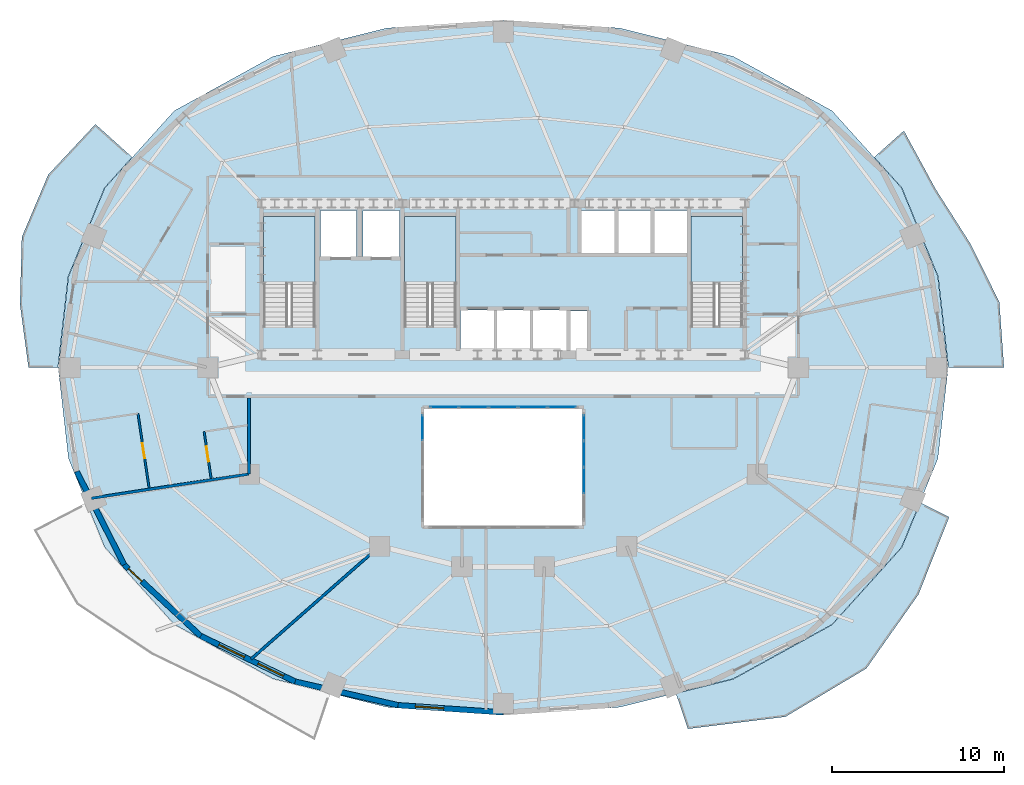
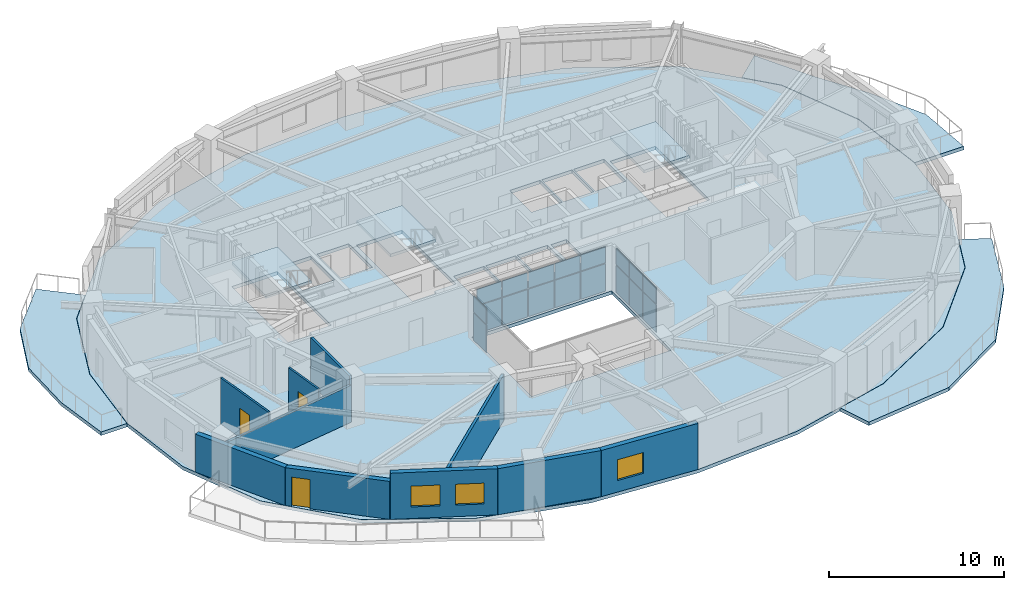
# One storey, part 5 of 12: 18 plates, 10 walls, 7 slabs, 3 doors, 3 windows, 6 openings, 6 elements without a shape of their own.
"""IFC4 building model written with IfcOpenShell, lengths in metres."""

from ifc_helpers import new_model, si_unit, direction, frame, frame_2d, origin, origin_2d, place, context, subcontext, project, spatial, polyline, rectangle, outline, extrude, material, layer, layer_set, type_object, element, fill, aggregate, save


model = new_model("IFC4")

# Units and contexts
model_context = context("Model", 3, precision=1e-05, world=origin(), true_north=direction((0.0, 1.0)))
body_context = subcontext(model_context, "Body", "Model", "MODEL_VIEW")
ifc_project = project(units=[si_unit("LENGTHUNIT", "METRE"), si_unit("AREAUNIT", "SQUARE_METRE"), si_unit("VOLUMEUNIT", "CUBIC_METRE"), si_unit("PLANEANGLEUNIT", "RADIAN"), si_unit("MASSUNIT", "GRAM", prefix="KILO")], contexts=[model_context])

# Site, building, storey
site_placement = place(None, origin())
site = spatial("IfcSite", under=ifc_project, at=site_placement, CompositionType="ELEMENT")
building_placement = place(site_placement, origin())
building = spatial("IfcBuilding", under=site, at=building_placement, Name="Haldorwick Loom Tower", CompositionType="ELEMENT")
storey_placement = place(building_placement, frame((0.0, 0.0, 154.449951171875)))
storey = spatial("IfcBuildingStorey", under=building, at=storey_placement, Name="L41", CompositionType="ELEMENT", Elevation=154.449951171875)

# Curtain wall, plates
ifc_material_1 = material(Name="Thermally Broken Anodized Aluminium Curtain Wall Framing", Category="aluminium")
curtain_wall_type = type_object("IfcCurtainWallType", Name="ARC-CW-03", PredefinedType="NOTDEFINED", material=ifc_material_1)
curtain_wall_1_placement = place(storey_placement, origin())
curtain_wall_1 = element("IfcCurtainWall", 1, at=curtain_wall_1_placement, inside=storey, type_object=curtain_wall_type, Name="L41 Atrium Glazed Screen N", PredefinedType="NOTDEFINED")
ifc_material_2 = material(Name="Triple-Glazed Low-E Argon Insulated Glazing Unit", Category="glass")
ifc_layer_1 = layer(ifc_material_2, 0.04296875, Name="Triple-Glazed Low-E Argon Insulated Glazing Unit", Category="glass")
ifc_layer_set_1 = layer_set([ifc_layer_1], Name="Triple-Glazed Low-E Argon Insulated Glazing Unit")
plate_type = type_object("IfcPlateType", Name="ARC-CWP-03", PredefinedType="CURTAIN_PANEL", material=ifc_layer_set_1)
plate_1_placement = place(storey_placement, frame((32.576416015625, 23.699951171875, 0.066162109375), z_axis=(0.0, 0.0, 1.0), x_axis=(1.0, 0.0, 0.0)))
plate_1 = element("IfcPlate", 2, at=plate_1_placement, type_object=plate_type, Name="CW-03 panel 1.1", PredefinedType="CURTAIN_PANEL", context=body_context, shape_type="SweptSolid", body=[
    extrude(rectangle(XDim=1.62109375, YDim=0.04296875, at=origin_2d()), origin(), (0.0, 0.0, 1.0), 1.90087890625),
])
plate_2_placement = place(storey_placement, frame((32.576416015625, 23.699951171875, 2.033203125), z_axis=(0.0, 0.0, 1.0), x_axis=(1.0, 0.0, 0.0)))
plate_2 = element("IfcPlate", 3, at=plate_2_placement, type_object=plate_type, Name="CW-03 panel 1.2", PredefinedType="CURTAIN_PANEL", context=body_context, shape_type="SweptSolid", body=[
    extrude(rectangle(XDim=1.62109375, YDim=0.04296875, at=origin_2d()), origin(), (0.0, 0.0, 1.0), 1.111083984375),
])
plate_3_placement = place(storey_placement, frame((34.280029296875, 23.699951171875, 0.066162109375), z_axis=(0.0, 0.0, 1.0), x_axis=(1.0, 0.0, 0.0)))
plate_3 = element("IfcPlate", 4, at=plate_3_placement, type_object=plate_type, Name="CW-03 panel 2.1", PredefinedType="CURTAIN_PANEL", context=body_context, shape_type="SweptSolid", body=[
    extrude(rectangle(XDim=1.654052734375, YDim=0.04296875, at=origin_2d()), origin(), (0.0, 0.0, 1.0), 1.90087890625),
])
plate_4_placement = place(storey_placement, frame((34.280029296875, 23.699951171875, 2.033203125), z_axis=(0.0, 0.0, 1.0), x_axis=(1.0, 0.0, 0.0)))
plate_4 = element("IfcPlate", 5, at=plate_4_placement, type_object=plate_type, Name="CW-03 panel 2.2", PredefinedType="CURTAIN_PANEL", context=body_context, shape_type="SweptSolid", body=[
    extrude(rectangle(XDim=1.654052734375, YDim=0.04296875, at=origin_2d()), origin(), (0.0, 0.0, 1.0), 1.111083984375),
])
plate_5_placement = place(storey_placement, frame((36.0, 23.699951171875, 0.066162109375), z_axis=(0.0, 0.0, 1.0), x_axis=(1.0, 0.0, 0.0)))
plate_5 = element("IfcPlate", 6, at=plate_5_placement, type_object=plate_type, Name="CW-03 panel 3.1", PredefinedType="CURTAIN_PANEL", context=body_context, shape_type="SweptSolid", body=[
    extrude(rectangle(XDim=1.654052734375, YDim=0.04296875, at=origin_2d()), origin(), (0.0, 0.0, 1.0), 1.90087890625),
])
plate_6_placement = place(storey_placement, frame((36.0, 23.699951171875, 2.033203125), z_axis=(0.0, 0.0, 1.0), x_axis=(1.0, 0.0, 0.0)))
plate_6 = element("IfcPlate", 7, at=plate_6_placement, type_object=plate_type, Name="CW-03 panel 3.2", PredefinedType="CURTAIN_PANEL", context=body_context, shape_type="SweptSolid", body=[
    extrude(rectangle(XDim=1.654052734375, YDim=0.04296875, at=origin_2d()), origin(), (0.0, 0.0, 1.0), 1.111083984375),
])
plate_7_placement = place(storey_placement, frame((37.719970703125, 23.699951171875, 0.066162109375), z_axis=(0.0, 0.0, 1.0), x_axis=(1.0, 0.0, 0.0)))
plate_7 = element("IfcPlate", 8, at=plate_7_placement, type_object=plate_type, Name="CW-03 panel 4.1", PredefinedType="CURTAIN_PANEL", context=body_context, shape_type="SweptSolid", body=[
    extrude(rectangle(XDim=1.654052734375, YDim=0.04296875, at=origin_2d()), origin(), (0.0, 0.0, 1.0), 1.90087890625),
])
plate_8_placement = place(storey_placement, frame((37.719970703125, 23.699951171875, 2.033203125), z_axis=(0.0, 0.0, 1.0), x_axis=(1.0, 0.0, 0.0)))
plate_8 = element("IfcPlate", 9, at=plate_8_placement, type_object=plate_type, Name="CW-03 panel 4.2", PredefinedType="CURTAIN_PANEL", context=body_context, shape_type="SweptSolid", body=[
    extrude(rectangle(XDim=1.654052734375, YDim=0.04296875, at=origin_2d()), origin(), (0.0, 0.0, 1.0), 1.111083984375),
])
plate_9_placement = place(storey_placement, frame((39.423583984375, 23.699951171875, 0.066162109375), z_axis=(0.0, 0.0, 1.0), x_axis=(1.0, 0.0, 0.0)))
plate_9 = element("IfcPlate", 10, at=plate_9_placement, type_object=plate_type, Name="CW-03 panel 5.1", PredefinedType="CURTAIN_PANEL", context=body_context, shape_type="SweptSolid", body=[
    extrude(rectangle(XDim=1.62109375, YDim=0.04296875, at=origin_2d()), origin(), (0.0, 0.0, 1.0), 1.90087890625),
])
plate_10_placement = place(storey_placement, frame((39.423583984375, 23.699951171875, 2.033203125), z_axis=(0.0, 0.0, 1.0), x_axis=(1.0, 0.0, 0.0)))
plate_10 = element("IfcPlate", 11, at=plate_10_placement, type_object=plate_type, Name="CW-03 panel 5.2", PredefinedType="CURTAIN_PANEL", context=body_context, shape_type="SweptSolid", body=[
    extrude(rectangle(XDim=1.62109375, YDim=0.04296875, at=origin_2d()), origin(), (0.0, 0.0, 1.0), 1.111083984375),
])
aggregate(curtain_wall_1, [plate_1, plate_2, plate_3, plate_4, plate_5, plate_6, plate_7, plate_8, plate_9, plate_10])

curtain_wall_2_placement = place(storey_placement, origin())
curtain_wall_2 = element("IfcCurtainWall", 12, at=curtain_wall_2_placement, inside=storey, type_object=curtain_wall_type, Name="L41 Atrium Glazed Screen W", PredefinedType="NOTDEFINED")
plate_11_placement = place(storey_placement, frame((31.300048828125, 22.508544921875, 0.066162109375), z_axis=(0.0, 0.0, 1.0), x_axis=(0.0, 1.0, 0.0)))
plate_11 = element("IfcPlate", 13, at=plate_11_placement, type_object=plate_type, Name="CW-03 panel 4.1", PredefinedType="CURTAIN_PANEL", context=body_context, shape_type="SweptSolid", body=[
    extrude(rectangle(XDim=1.450927734375, YDim=0.04296875, at=origin_2d()), origin(), (0.0, 0.0, 1.0), 1.90087890625),
])
plate_12_placement = place(storey_placement, frame((31.300048828125, 22.508544921875, 2.033203125), z_axis=(0.0, 0.0, 1.0), x_axis=(0.0, 1.0, 0.0)))
plate_12 = element("IfcPlate", 14, at=plate_12_placement, type_object=plate_type, Name="CW-03 panel 4.2", PredefinedType="CURTAIN_PANEL", context=body_context, shape_type="SweptSolid", body=[
    extrude(rectangle(XDim=1.450927734375, YDim=0.04296875, at=origin_2d()), origin(), (0.0, 0.0, 1.0), 1.111083984375),
])
aggregate(curtain_wall_2, [plate_11, plate_12])

curtain_wall_3_placement = place(storey_placement, origin())
curtain_wall_3 = element("IfcCurtainWall", 15, at=curtain_wall_3_placement, inside=storey, type_object=curtain_wall_type, Name="L41 Atrium Glazed Screen E", PredefinedType="NOTDEFINED")
plate_13_placement = place(storey_placement, frame((40.699951171875, 22.508544921875, 0.066162109375), z_axis=(0.0, 0.0, 1.0), x_axis=(0.0, -1.0, 0.0)))
plate_13 = element("IfcPlate", 16, at=plate_13_placement, type_object=plate_type, Name="CW-03 panel 1.1", PredefinedType="CURTAIN_PANEL", context=body_context, shape_type="SweptSolid", body=[
    extrude(rectangle(XDim=1.450927734375, YDim=0.04296875, at=origin_2d()), origin(), (0.0, 0.0, 1.0), 1.90087890625),
])
plate_14_placement = place(storey_placement, frame((40.699951171875, 22.508544921875, 2.033203125), z_axis=(0.0, 0.0, 1.0), x_axis=(0.0, -1.0, 0.0)))
plate_14 = element("IfcPlate", 17, at=plate_14_placement, type_object=plate_type, Name="CW-03 panel 1.2", PredefinedType="CURTAIN_PANEL", context=body_context, shape_type="SweptSolid", body=[
    extrude(rectangle(XDim=1.450927734375, YDim=0.04296875, at=origin_2d()), origin(), (0.0, 0.0, 1.0), 1.111083984375),
])
plate_15_placement = place(storey_placement, frame((40.699951171875, 20.97509765625, 0.066162109375), z_axis=(0.0, 0.0, 1.0), x_axis=(0.0, -1.0, 0.0)))
plate_15 = element("IfcPlate", 18, at=plate_15_placement, type_object=plate_type, Name="CW-03 panel 2.1", PredefinedType="CURTAIN_PANEL", context=body_context, shape_type="SweptSolid", body=[
    extrude(rectangle(XDim=1.48388671875, YDim=0.04296875, at=origin_2d()), origin(), (0.0, 0.0, 1.0), 1.90087890625),
])
plate_16_placement = place(storey_placement, frame((40.699951171875, 20.97509765625, 2.033203125), z_axis=(0.0, 0.0, 1.0), x_axis=(0.0, -1.0, 0.0)))
plate_16 = element("IfcPlate", 19, at=plate_16_placement, type_object=plate_type, Name="CW-03 panel 2.2", PredefinedType="CURTAIN_PANEL", context=body_context, shape_type="SweptSolid", body=[
    extrude(rectangle(XDim=1.48388671875, YDim=0.04296875, at=origin_2d()), origin(), (0.0, 0.0, 1.0), 1.111083984375),
])
plate_17_placement = place(storey_placement, frame((40.699951171875, 19.425048828125, 0.066162109375), z_axis=(0.0, 0.0, 1.0), x_axis=(0.0, -1.0, 0.0)))
plate_17 = element("IfcPlate", 20, at=plate_17_placement, type_object=plate_type, Name="CW-03 panel 3.1", PredefinedType="CURTAIN_PANEL", context=body_context, shape_type="SweptSolid", body=[
    extrude(rectangle(XDim=1.48388671875, YDim=0.04296875, at=origin_2d()), origin(), (0.0, 0.0, 1.0), 1.90087890625),
])
plate_18_placement = place(storey_placement, frame((40.699951171875, 19.425048828125, 2.033203125), z_axis=(0.0, 0.0, 1.0), x_axis=(0.0, -1.0, 0.0)))
plate_18 = element("IfcPlate", 21, at=plate_18_placement, type_object=plate_type, Name="CW-03 panel 3.2", PredefinedType="CURTAIN_PANEL", context=body_context, shape_type="SweptSolid", body=[
    extrude(rectangle(XDim=1.48388671875, YDim=0.04296875, at=origin_2d()), origin(), (0.0, 0.0, 1.0), 1.111083984375),
])
aggregate(curtain_wall_3, [plate_13, plate_14, plate_15, plate_16, plate_17, plate_18])

# Slabs
ifc_material_3 = material(Name="Concrete C40 (40 MPa)", Category="concrete")
ifc_layer_2 = layer(ifc_material_3, 0.239990234375, Name="Concrete C40 (40 MPa)", Category="concrete")
ifc_layer_set_2 = layer_set([ifc_layer_2], Name="Concrete C40 (40 MPa)")
slab_type_1 = type_object("IfcSlabType", Name="STR-SLB-BAL240", PredefinedType="FLOOR", material=ifc_layer_set_2)
slab_1_placement = place(storey_placement, frame((0.0, 0.0, -0.239990234375)))
element("IfcSlab", 22, at=slab_1_placement, inside=storey, type_object=slab_type_1, Name="L41 Sinusoidal Balcony Terrace BAL_SE", PredefinedType="FLOOR", context=body_context, shape_type="SweptSolid", body=[
    extrude(outline(polyline([(60.284912109375, 18.142822265625), (59.216064453125, 15.530517578125), (59.21533203125, 15.529296875), (59.21484375, 15.528076171875), (59.214111328125, 15.527099609375), (59.213134765625, 15.526123046875), (55.16162109375, 11.031005859375), (55.16064453125, 11.02978515625), (55.1591796875, 11.028564453125), (55.15771484375, 11.02783203125), (49.40283203125, 7.863037109375), (49.40185546875, 7.8623046875), (49.400634765625, 7.86181640625), (49.3994140625, 7.861572265625), (46.060302734375, 7.02783203125), (46.7607421875, 4.96044921875), (52.440673828125, 5.66796875), (57.151123046875, 8.4794921875), (60.17919921875, 12.77880859375), (61.969482421875, 17.2900390625), (60.284912109375, 18.142822265625)])), origin(), (0.0, 0.0, 1.0), 0.239990234375),
])
slab_2_placement = place(storey_placement, frame((0.0, 0.0, -0.239990234375)))
element("IfcSlab", 23, at=slab_2_placement, inside=storey, type_object=slab_type_1, Name="L41 Sinusoidal Balcony Terrace BAL_WNW", PredefinedType="FLOOR", context=body_context, shape_type="SweptSolid", body=[
    extrude(outline(polyline([(10.068115234375, 26.0), (10.068115234375, 26.001708984375), (10.669677734375, 31.30029296875), (10.669921875, 31.3017578125), (10.670166015625, 31.302978515625), (10.670654296875, 31.30419921875), (12.783935546875, 36.469482421875), (12.78466796875, 36.470703125), (12.78515625, 36.4716796875), (12.785888671875, 36.472900390625), (12.786865234375, 36.473876953125), (14.39013671875, 38.2529296875), (12.253662109375, 40.1748046875), (9.505615234375, 37.237060546875), (7.967529296875, 33.601318359375), (7.860107421875, 29.673583984375), (8.3564453125, 26.0), (10.068115234375, 26.0)])), origin(), (0.0, 0.0, 1.0), 0.239990234375),
])
slab_3_placement = place(storey_placement, frame((0.0, 0.0, -0.239990234375)))
element("IfcSlab", 24, at=slab_3_placement, inside=storey, type_object=slab_type_1, Name="L41 Sinusoidal Balcony Terrace BAL_ENE", PredefinedType="FLOOR", context=body_context, shape_type="SweptSolid", body=[
    extrude(outline(polyline([(57.610107421875, 38.25244140625), (59.213134765625, 36.473876953125), (59.214111328125, 36.472900390625), (59.21484375, 36.4716796875), (59.21533203125, 36.470703125), (59.216064453125, 36.469482421875), (61.329345703125, 31.30419921875), (61.329833984375, 31.302978515625), (61.330078125, 31.3017578125), (61.330322265625, 31.30029296875), (61.931884765625, 26.001708984375), (61.931884765625, 26.0), (65.1669921875, 26.0), (64.89306640625, 29.826416015625), (63.18896484375, 33.25048828125), (61.189208984375, 36.3857421875), (59.33740234375, 39.794677734375), (57.610107421875, 38.25244140625)])), origin(), (0.0, 0.0, 1.0), 0.239990234375),
])

# Stair, slab
stair_type = type_object("IfcStairType", Name="STR-STR-CORE", PredefinedType="HALF_TURN_STAIR", material=ifc_material_3)
stair_1_placement = place(storey_placement, origin())
stair_1 = element("IfcStair", 25, at=stair_1_placement, inside=storey, type_object=stair_type, Name="L41 Exit Stair ST-01", PredefinedType="HALF_TURN_STAIR")
ifc_layer_3 = layer(ifc_material_3, 0.199951171875, Name="Concrete C40 (40 MPa)", Category="concrete")
ifc_layer_set_3 = layer_set([ifc_layer_3], Name="Concrete C40 (40 MPa)")
slab_type_2 = type_object("IfcSlabType", Name="STR-SLB-LAND200", PredefinedType="LANDING", material=ifc_layer_set_3)
slab_4_placement = place(storey_placement, frame((0.0, 0.0, 1.525146484375)))
slab_4 = element("IfcSlab", 26, at=slab_4_placement, type_object=slab_type_2, Name="ST-01 landing 1", PredefinedType="LANDING", context=body_context, shape_type="SweptSolid", body=[
    extrude(outline(polyline([(25.050048828125, 30.919921875), (25.050048828125, 34.800048828125), (22.050048828125, 34.800048828125), (22.050048828125, 30.919921875), (25.050048828125, 30.919921875)])), origin(), (0.0, 0.0, 1.0), 0.199951171875),
])
aggregate(stair_1, [slab_4])

stair_2_placement = place(storey_placement, origin())
stair_2 = element("IfcStair", 27, at=stair_2_placement, inside=storey, type_object=stair_type, Name="L41 Exit Stair ST-02", PredefinedType="HALF_TURN_STAIR")
slab_5_placement = place(storey_placement, frame((0.0, 0.0, 1.525146484375)))
slab_5 = element("IfcSlab", 28, at=slab_5_placement, type_object=slab_type_2, Name="ST-02 landing 1", PredefinedType="LANDING", context=body_context, shape_type="SweptSolid", body=[
    extrude(outline(polyline([(49.949951171875, 30.919921875), (49.949951171875, 34.800048828125), (46.949951171875, 34.800048828125), (46.949951171875, 30.919921875), (49.949951171875, 30.919921875)])), origin(), (0.0, 0.0, 1.0), 0.199951171875),
])
aggregate(stair_2, [slab_5])

stair_3_placement = place(storey_placement, origin())
stair_3 = element("IfcStair", 29, at=stair_3_placement, inside=storey, type_object=stair_type, Name="L41 Exit Stair ST-03", PredefinedType="HALF_TURN_STAIR")
slab_6_placement = place(storey_placement, frame((0.0, 0.0, 1.525146484375)))
slab_6 = element("IfcSlab", 30, at=slab_6_placement, type_object=slab_type_2, Name="ST-03 landing 1", PredefinedType="LANDING", context=body_context, shape_type="SweptSolid", body=[
    extrude(outline(polyline([(33.25, 30.919921875), (33.25, 34.800048828125), (30.25, 34.800048828125), (30.25, 30.919921875), (33.25, 30.919921875)])), origin(), (0.0, 0.0, 1.0), 0.199951171875),
])
aggregate(stair_3, [slab_6])

# Slab
ifc_layer_4 = layer(ifc_material_3, 0.239990234375, Name="Concrete C40 (40 MPa)", Category="concrete")
ifc_layer_set_4 = layer_set([ifc_layer_4], Name="Concrete C40 (40 MPa)")
slab_type_3 = type_object("IfcSlabType", Name="STR-SLB-RES240", PredefinedType="FLOOR", material=ifc_layer_set_4)
slab_7_placement = place(storey_placement, frame((0.0, 0.0, -0.239990234375)))
element("IfcSlab", 31, at=slab_7_placement, inside=storey, type_object=slab_type_3, Name="L41 Residential Structural Floor Slab", PredefinedType="FLOOR", context=body_context, shape_type="SweptSolid", body=[
    extrude(outline(polyline([(55.150634765625, 11.041015625), (59.2021484375, 15.5361328125), (61.3154296875, 20.701416015625), (61.9169921875, 26.0), (61.3154296875, 31.298583984375), (59.2021484375, 36.4638671875), (55.150634765625, 40.958984375), (49.395751953125, 44.123779296875), (42.783203125, 45.774658203125), (36.0, 46.24462890625), (29.216796875, 45.774658203125), (22.604248046875, 44.123779296875), (16.849365234375, 40.958984375), (12.7978515625, 36.4638671875), (10.6845703125, 31.298583984375), (10.0830078125, 26.0), (10.6845703125, 20.701416015625), (12.7978515625, 15.5361328125), (16.849365234375, 11.041015625), (22.604248046875, 7.876220703125), (29.216796875, 6.225341796875), (36.0, 5.75537109375), (42.783203125, 6.225341796875), (49.395751953125, 7.876220703125), (55.150634765625, 11.041015625)]), holes=[polyline([(31.39990234375, 16.800048828125), (31.39990234375, 23.60009765625), (40.60009765625, 23.60009765625), (40.60009765625, 16.800048828125), (31.39990234375, 16.800048828125)]), polyline([(33.5, 26.85009765625), (33.5, 29.35009765625), (35.5, 29.35009765625), (35.5, 26.85009765625), (33.5, 26.85009765625)]), polyline([(35.60009765625, 26.85009765625), (35.60009765625, 29.35009765625), (37.60009765625, 29.35009765625), (37.60009765625, 26.85009765625), (35.60009765625, 26.85009765625)]), polyline([(23.6201171875, 28.39990234375), (22.050048828125, 28.39990234375), (22.050048828125, 34.800048828125), (25.050048828125, 34.800048828125), (25.050048828125, 28.639892578125), (23.6201171875, 28.639892578125), (23.6201171875, 28.39990234375)]), polyline([(30.25, 28.39990234375), (30.25, 34.800048828125), (33.25, 34.800048828125), (33.25, 28.639892578125), (31.820068359375, 28.639892578125), (31.820068359375, 28.39990234375), (30.25, 28.39990234375)]), polyline([(25.35009765625, 32.449951171875), (25.35009765625, 35.14990234375), (27.449951171875, 35.14990234375), (27.449951171875, 32.449951171875), (25.35009765625, 32.449951171875)]), polyline([(29.949951171875, 32.449951171875), (27.85009765625, 32.449951171875), (27.85009765625, 35.14990234375), (29.949951171875, 35.14990234375), (29.949951171875, 32.449951171875)]), polyline([(37.699951171875, 26.85009765625), (37.699951171875, 29.35009765625), (39.699951171875, 29.35009765625), (39.699951171875, 26.85009765625), (37.699951171875, 26.85009765625)]), polyline([(39.89990234375, 26.89990234375), (39.89990234375, 29.300048828125), (40.89990234375, 29.300048828125), (40.89990234375, 26.89990234375), (39.89990234375, 26.89990234375)]), polyline([(46.949951171875, 28.39990234375), (46.949951171875, 34.800048828125), (49.949951171875, 34.800048828125), (49.949951171875, 28.639892578125), (48.52001953125, 28.639892578125), (48.52001953125, 28.39990234375), (46.949951171875, 28.39990234375)]), polyline([(40.550048828125, 32.64990234375), (40.550048828125, 35.14990234375), (42.550048828125, 35.14990234375), (42.550048828125, 32.64990234375), (40.550048828125, 32.64990234375)]), polyline([(42.64990234375, 32.64990234375), (42.64990234375, 35.14990234375), (44.64990234375, 35.14990234375), (44.64990234375, 32.64990234375), (42.64990234375, 32.64990234375)]), polyline([(44.75, 32.64990234375), (44.75, 35.14990234375), (46.75, 35.14990234375), (46.75, 32.64990234375), (44.75, 32.64990234375)])]), origin(), (0.0, 0.0, 1.0), 0.239990234375),
])

# Wall
ifc_material_4 = material(Name="Pressed Clay Face Brick and Insulated Masonry Backup Assembly", Category="masonry")
ifc_layer_5 = layer(ifc_material_4, 0.320068359375, Name="Pressed Clay Face Brick and Insulated Masonry Backup Assembly", Category="masonry")
ifc_layer_set_5 = layer_set([ifc_layer_5], Name="Pressed Clay Face Brick and Insulated Masonry Backup Assembly")
wall_type_1 = type_object("IfcWallType", Name="ARC-WL-EXT320", PredefinedType="STANDARD", material=ifc_layer_set_5)
wall_1_placement = place(storey_placement, frame((11.1650390625, 19.944580078125, 0.0), z_axis=(0.0, 0.0, 1.0), x_axis=(0.453172129629, -0.89142303141, 0.0)))
element("IfcWall", 32, at=wall_1_placement, inside=storey, type_object=wall_type_1, Name="L41 Brick Pier and Spandrel Wall 14", PredefinedType="STANDARD", context=body_context, shape_type="SweptSolid", body=[
    extrude(rectangle(XDim=6.086669921875, YDim=0.320068359375, at=frame_2d((3.04345703125, 0.0))), origin(), (0.0, 0.0, 1.0), 2.64111328125),
])

# Wall, opening, door
wall_2_placement = place(storey_placement, frame((13.92333984375, 14.518798828125, 0.0), z_axis=(0.0, 0.0, 1.0), x_axis=(0.732001571644, -0.681302942244, 0.0)))
wall_2 = element("IfcWall", 33, at=wall_2_placement, inside=storey, type_object=wall_type_1, Name="L41 Brick Pier and Spandrel Wall 15", PredefinedType="STANDARD", context=body_context, shape_type="SweptSolid", body=[
    extrude(rectangle(XDim=6.0869140625, YDim=0.320068359375, at=frame_2d((3.04345703125, 0.0))), origin(), (0.0, 0.0, 1.0), 2.64111328125),
])
opening_1_placement = place(wall_2_placement, frame((0.340087890625, 0.0, 0.0)))
opening_1 = element("IfcOpeningElement", 34, at=opening_1_placement, cuts=wall_2, Name="Opening D-BL11", PredefinedType="OPENING", context=body_context, shape_type="SweptSolid", body=[
    extrude(rectangle(XDim=1.080078125, YDim=2.0400390625, at=frame_2d((0.5400390625, 1.02001953125))), frame((0.0, 0.169921875, 0.0), z_axis=(0.0, -1.0, 0.0), x_axis=(1.0, 0.0, 0.0)), (0.0, 0.0, 1.0), 0.340087890625),
])
door_type_1 = type_object("IfcDoorType", Name="ARC-DR-BAL110", OperationType="NOTDEFINED", PredefinedType="DOOR", material=ifc_material_1)
door_1_placement = place(opening_1_placement, origin())
door_1 = element("IfcDoor", 35, at=door_1_placement, inside=storey, type_object=door_type_1, Name="L41 Outdoor Terrace Door SLB-L41-BAL_SW", OperationType="SINGLE_SWING_LEFT", OverallHeight=2.0400390625, OverallWidth=1.080078125, PredefinedType="DOOR", context=body_context, shape_type="SweptSolid", body=[
    extrude(rectangle(XDim=1.080078125, YDim=2.0400390625, at=frame_2d((0.5400390625, 1.02001953125))), frame((0.0, 0.02490234375, 0.0), z_axis=(0.0, -1.0, 0.0), x_axis=(1.0, 0.0, 0.0)), (0.0, 0.0, 1.0), 0.050048828125),
])
fill(opening_1, door_1)

# Wall, openings, windows
wall_3_placement = place(storey_placement, frame((18.37890625, 10.371826171875, 0.0), z_axis=(0.0, 0.0, 1.0), x_axis=(0.900472429216, -0.43491309962, 0.0)))
wall_3 = element("IfcWall", 36, at=wall_3_placement, inside=storey, type_object=wall_type_1, Name="L41 Brick Pier and Spandrel Wall 16", PredefinedType="STANDARD", context=body_context, shape_type="SweptSolid", body=[
    extrude(rectangle(XDim=6.1181640625, YDim=0.320068359375, at=frame_2d((3.05908203125, 0.0))), origin(), (0.0, 0.0, 1.0), 3.2099609375),
])
opening_2_placement = place(wall_3_placement, frame((1.181884765625, 0.0, 0.800048828125)))
opening_2 = element("IfcOpeningElement", 37, at=opening_2_placement, cuts=wall_3, Name="Opening W-01B", PredefinedType="OPENING", context=body_context, shape_type="SweptSolid", body=[
    extrude(rectangle(XDim=1.64990234375, YDim=1.449951171875, at=frame_2d((0.824951171875, 0.72509765625))), frame((0.0, 0.169921875, 0.0), z_axis=(0.0, -1.0, 0.0), x_axis=(1.0, 0.0, 0.0)), (0.0, 0.0, 1.0), 0.340087890625),
])
opening_3_placement = place(wall_3_placement, frame((3.70751953125, 0.0, 0.800048828125)))
opening_3 = element("IfcOpeningElement", 38, at=opening_3_placement, cuts=wall_3, Name="Opening W-01B", PredefinedType="OPENING", context=body_context, shape_type="SweptSolid", body=[
    extrude(rectangle(XDim=1.64990234375, YDim=1.449951171875, at=frame_2d((0.824951171875, 0.72509765625))), frame((0.0, 0.169921875, 0.0), z_axis=(0.0, -1.0, 0.0), x_axis=(1.0, 0.0, 0.0)), (0.0, 0.0, 1.0), 0.340087890625),
])
window_type = type_object("IfcWindowType", Name="ARC-WIN-W165", PartitioningType="SINGLE_PANEL", PredefinedType="WINDOW", material=ifc_material_2)
window_1_placement = place(opening_2_placement, origin())
window_1 = element("IfcWindow", 39, at=window_1_placement, inside=storey, type_object=window_type, Name="L41 Deep-Set Zone 7A Window 16", OverallHeight=1.449951171875, OverallWidth=1.64990234375, PartitioningType="SINGLE_PANEL", PredefinedType="WINDOW", context=body_context, shape_type="SweptSolid", body=[
    extrude(rectangle(XDim=1.64990234375, YDim=1.449951171875, at=frame_2d((0.824951171875, 0.72509765625))), frame((0.0, 0.030029296875, 0.0), z_axis=(0.0, -1.0, 0.0), x_axis=(1.0, 0.0, 0.0)), (0.0, 0.0, 1.0), 0.06005859375),
])
fill(opening_2, window_1)
window_2_placement = place(opening_3_placement, origin())
window_2 = element("IfcWindow", 40, at=window_2_placement, inside=storey, type_object=window_type, Name="L41 Deep-Set Zone 7A Window 16", OverallHeight=1.449951171875, OverallWidth=1.64990234375, PartitioningType="SINGLE_PANEL", PredefinedType="WINDOW", context=body_context, shape_type="SweptSolid", body=[
    extrude(rectangle(XDim=1.64990234375, YDim=1.449951171875, at=frame_2d((0.824951171875, 0.72509765625))), frame((0.0, 0.030029296875, 0.0), z_axis=(0.0, -1.0, 0.0), x_axis=(1.0, 0.0, 0.0)), (0.0, 0.0, 1.0), 0.06005859375),
])
fill(opening_3, window_2)

# Wall
wall_4_placement = place(storey_placement, frame((23.88818359375, 7.7109375, 0.0), z_axis=(0.0, 0.0, 1.0), x_axis=(0.974593223547, -0.223982250674, 0.0)))
element("IfcWall", 41, at=wall_4_placement, inside=storey, type_object=wall_type_1, Name="L41 Brick Pier and Spandrel Wall 17", PredefinedType="STANDARD", context=body_context, shape_type="SweptSolid", body=[
    extrude(rectangle(XDim=6.138916015625, YDim=0.320068359375, at=frame_2d((3.0693359375, 0.0))), origin(), (0.0, 0.0, 1.0), 3.2099609375),
])

# Wall, opening, window
wall_5_placement = place(storey_placement, frame((29.87109375, 6.3359375, 0.0), z_axis=(0.0, 0.0, 1.0), x_axis=(0.997652942988, -0.068473391522, 0.0)))
wall_5 = element("IfcWall", 42, at=wall_5_placement, inside=storey, type_object=wall_type_1, Name="L41 Brick Pier and Spandrel Wall 18", PredefinedType="STANDARD", context=body_context, shape_type="SweptSolid", body=[
    extrude(rectangle(XDim=6.143310546875, YDim=0.320068359375, at=frame_2d((3.07177734375, 0.0))), origin(), (0.0, 0.0, 1.0), 3.2099609375),
])
opening_4_placement = place(wall_5_placement, frame((1.01806640625, 0.0, 0.800048828125)))
opening_4 = element("IfcOpeningElement", 43, at=opening_4_placement, cuts=wall_5, Name="Opening W-01B", PredefinedType="OPENING", context=body_context, shape_type="SweptSolid", body=[
    extrude(rectangle(XDim=1.64990234375, YDim=1.449951171875, at=frame_2d((0.824951171875, 0.72509765625))), frame((0.0, 0.169921875, 0.0), z_axis=(0.0, -1.0, 0.0), x_axis=(1.0, 0.0, 0.0)), (0.0, 0.0, 1.0), 0.340087890625),
])
window_3_placement = place(opening_4_placement, origin())
window_3 = element("IfcWindow", 44, at=window_3_placement, inside=storey, type_object=window_type, Name="L41 Deep-Set Zone 7A Window 18", OverallHeight=1.449951171875, OverallWidth=1.64990234375, PartitioningType="SINGLE_PANEL", PredefinedType="WINDOW", context=body_context, shape_type="SweptSolid", body=[
    extrude(rectangle(XDim=1.64990234375, YDim=1.449951171875, at=frame_2d((0.824951171875, 0.72509765625))), frame((0.0, 0.030029296875, 0.0), z_axis=(0.0, -1.0, 0.0), x_axis=(1.0, 0.0, 0.0)), (0.0, 0.0, 1.0), 0.06005859375),
])
fill(opening_4, window_3)

# Walls
ifc_material_5 = material(Name="Fire-Rated Type X Gypsum Stud Assembly EI 60")
ifc_layer_6 = layer(ifc_material_5, 0.159912109375, Name="Fire-Rated Type X Gypsum Stud Assembly EI 60")
ifc_layer_set_6 = layer_set([ifc_layer_6], Name="Fire-Rated Type X Gypsum Stud Assembly EI 60")
wall_type_2 = type_object("IfcWallType", Name="ARC-WL-FIRE160", PredefinedType="PARTITIONING", material=ifc_layer_set_6)
wall_6_placement = place(storey_placement, frame((28.800048828125, 15.60009765625, 0.0), z_axis=(0.0, 0.0, 1.0), x_axis=(-0.751199514731, -0.660075214706, 0.0)))
element("IfcWall", 45, at=wall_6_placement, inside=storey, type_object=wall_type_2, Name="L41 Residential Fire Partition L41-ICR-09", PredefinedType="PARTITIONING", context=body_context, shape_type="SweptSolid", body=[
    extrude(rectangle(XDim=9.961181640625, YDim=0.159912109375, at=frame_2d((4.98046875, 0.0))), origin(), (0.0, 0.0, 1.0), 3.195068359375),
])
wall_7_placement = place(storey_placement, frame((21.199951171875, 19.800048828125, 0.0), z_axis=(0.0, 0.0, 1.0), x_axis=(-0.988415150096, -0.151774474339, 0.0)))
element("IfcWall", 46, at=wall_7_placement, inside=storey, type_object=wall_type_2, Name="L41 Residential Fire Partition L41-ICR-11", PredefinedType="PARTITIONING", context=body_context, shape_type="SweptSolid", body=[
    extrude(rectangle(XDim=9.27978515625, YDim=0.159912109375, at=frame_2d((4.639892578125, 0.0))), origin(), (0.0, 0.0, 1.0), 2.568115234375),
])
wall_8_placement = place(storey_placement, frame((21.199951171875, 24.217041015625, 0.0), z_axis=(0.0, 0.0, 1.0), x_axis=(0.0, -1.0, 0.0)))
element("IfcWall", 47, at=wall_8_placement, inside=storey, type_object=wall_type_2, Name="L41 Residential Fire Partition L41-ICA-10", PredefinedType="PARTITIONING", context=body_context, shape_type="SweptSolid", body=[
    extrude(rectangle(XDim=4.4169921875, YDim=0.159912109375, at=frame_2d((2.20849609375, 0.0))), origin(), (0.0, 0.0, 1.0), 3.195068359375),
])

# Wall, opening, door
ifc_material_6 = material(Name="Acoustic Gypsum Stud Assembly STC 55")
ifc_layer_7 = layer(ifc_material_6, 0.1201171875, Name="Acoustic Gypsum Stud Assembly STC 55")
ifc_layer_set_7 = layer_set([ifc_layer_7], Name="Acoustic Gypsum Stud Assembly STC 55")
wall_type_3 = type_object("IfcWallType", Name="ARC-WL-PART120", PredefinedType="PARTITIONING", material=ifc_layer_set_7)
wall_9_placement = place(storey_placement, frame((18.584228515625, 22.27099609375, 0.0), z_axis=(0.0, 0.0, 1.0), x_axis=(0.147469849416, -0.98906655161, 0.0)))
wall_9 = element("IfcWall", 48, at=wall_9_placement, inside=storey, type_object=wall_type_3, Name="L41 Unit 41A Interior Partition", PredefinedType="PARTITIONING", context=body_context, shape_type="SweptSolid", body=[
    extrude(rectangle(XDim=2.75634765625, YDim=0.1201171875, at=frame_2d((1.378173828125, 0.0))), origin(), (0.0, 0.0, 1.0), 3.195068359375),
])
opening_5_placement = place(wall_9_placement, frame((0.87841796875, 0.0, 0.0)))
opening_5 = element("IfcOpeningElement", 49, at=opening_5_placement, cuts=wall_9, Name="Opening D-BT88", PredefinedType="OPENING", context=body_context, shape_type="SweptSolid", body=[
    extrude(rectangle(XDim=0.8798828125, YDim=2.02001953125, at=frame_2d((0.43994140625, 1.010009765625))), frame((0.0, 0.070068359375, 0.0), z_axis=(0.0, -1.0, 0.0), x_axis=(1.0, 0.0, 0.0)), (0.0, 0.0, 1.0), 0.14013671875),
])
ifc_material_7 = material(Name="Solid Core Birch Architectural Door")
door_type_2 = type_object("IfcDoorType", Name="ARC-DR-BATH88", OperationType="NOTDEFINED", PredefinedType="DOOR", material=ifc_material_7)
door_2_placement = place(opening_5_placement, origin())
door_2 = element("IfcDoor", 50, at=door_2_placement, inside=storey, type_object=door_type_2, Name="L41 Unit 41A Bathroom to Unit 41A Kitchen and Living Room Door", OperationType="SINGLE_SWING_RIGHT", OverallHeight=2.02001953125, OverallWidth=0.8798828125, PredefinedType="DOOR", context=body_context, shape_type="SweptSolid", body=[
    extrude(rectangle(XDim=0.8798828125, YDim=2.02001953125, at=frame_2d((0.43994140625, 1.010009765625))), frame((0.0, 0.02490234375, 0.0), z_axis=(0.0, -1.0, 0.0), x_axis=(1.0, 0.0, 0.0)), (0.0, 0.0, 1.0), 0.050048828125),
])
fill(opening_5, door_2)

wall_10_placement = place(storey_placement, frame((14.731201171875, 23.3271484375, 0.0), z_axis=(0.0, 0.0, 1.0), x_axis=(0.147537276338, -0.989056495904, 0.0)))
wall_10 = element("IfcWall", 51, at=wall_10_placement, inside=storey, type_object=wall_type_3, Name="L41 Unit 41A Interior Partition", PredefinedType="PARTITIONING", context=body_context, shape_type="SweptSolid", body=[
    extrude(rectangle(XDim=4.38525390625, YDim=0.1201171875, at=frame_2d((2.192626953125, 0.0))), origin(), (0.0, 0.0, 1.0), 3.195068359375),
])
opening_6_placement = place(wall_10_placement, frame((1.74267578125, 0.0, 0.0)))
opening_6 = element("IfcOpeningElement", 52, at=opening_6_placement, cuts=wall_10, Name="Opening D-IN90", PredefinedType="OPENING", context=body_context, shape_type="SweptSolid", body=[
    extrude(rectangle(XDim=0.89990234375, YDim=2.0400390625, at=frame_2d((0.449951171875, 1.02001953125))), frame((0.0, 0.070068359375, 0.0), z_axis=(0.0, -1.0, 0.0), x_axis=(1.0, 0.0, 0.0)), (0.0, 0.0, 1.0), 0.14013671875),
])
door_type_3 = type_object("IfcDoorType", Name="ARC-DR-INT90", OperationType="NOTDEFINED", PredefinedType="DOOR", material=ifc_material_7)
door_3_placement = place(opening_6_placement, origin())
door_3 = element("IfcDoor", 53, at=door_3_placement, inside=storey, type_object=door_type_3, Name="L41 Unit 41A Kitchen and Living Room to Unit 41A Bedroom 1 Door", OperationType="SINGLE_SWING_LEFT", OverallHeight=2.0400390625, OverallWidth=0.89990234375, PredefinedType="DOOR", context=body_context, shape_type="SweptSolid", body=[
    extrude(rectangle(XDim=0.89990234375, YDim=2.0400390625, at=frame_2d((0.449951171875, 1.02001953125))), frame((0.0, 0.02490234375, 0.0), z_axis=(0.0, -1.0, 0.0), x_axis=(1.0, 0.0, 0.0)), (0.0, 0.0, 1.0), 0.050048828125),
])
fill(opening_6, door_3)

save(model, "model.ifc")
